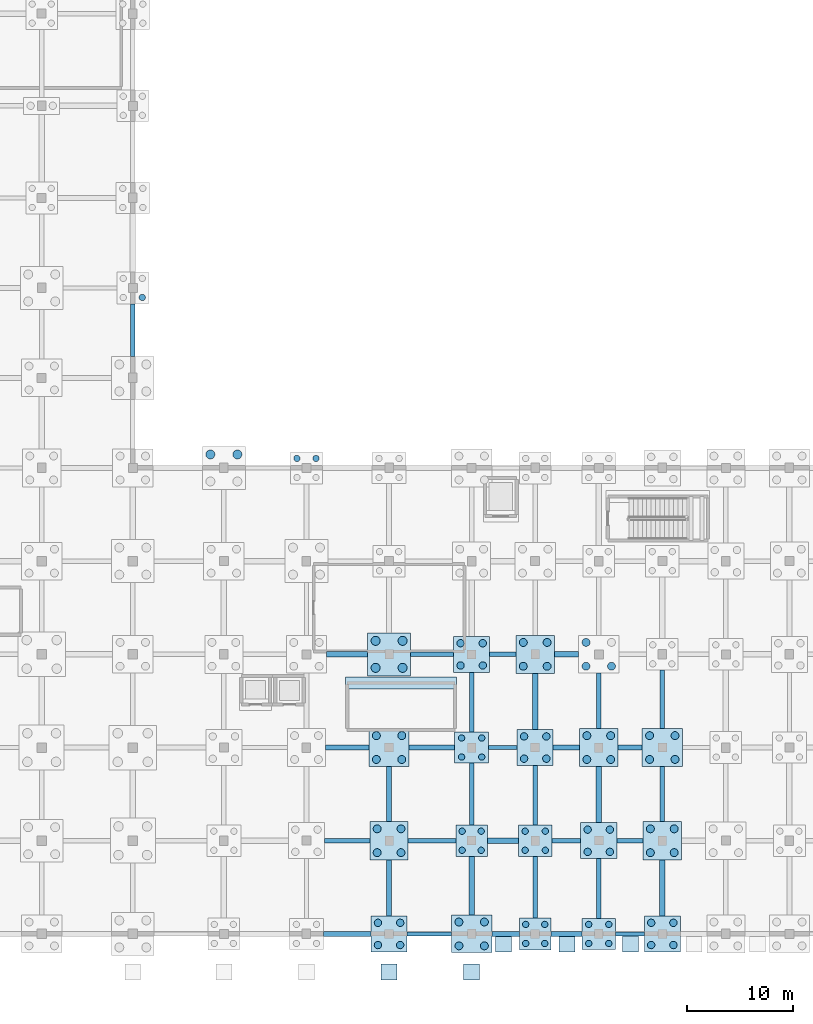
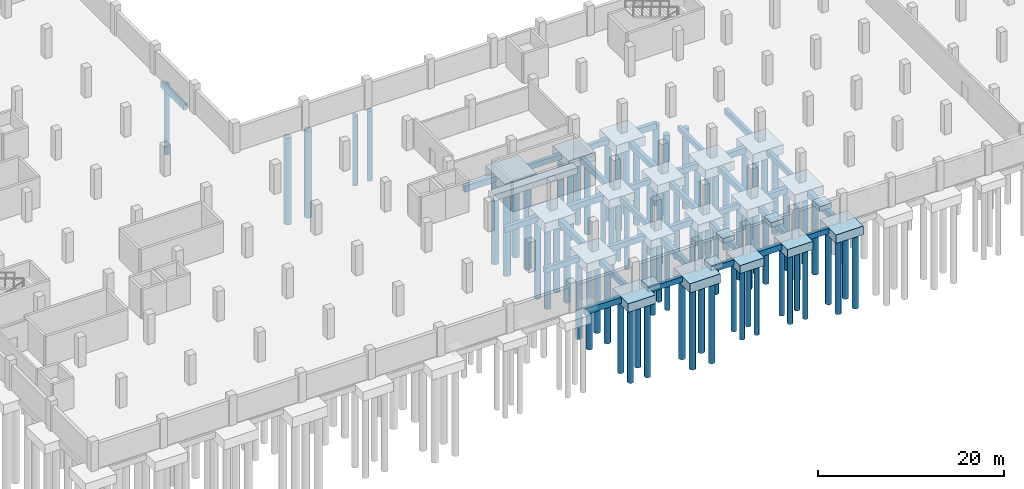
# One storey, part 4 of 28: 80 piles, 58 footings.
"""IFC4 building model written with IfcOpenShell, lengths in metres."""

from ifc_helpers import new_model, si_unit, direction, frame, origin, origin_2d, place, context, subcontext, project, spatial, rectangle, circle, extrude, material, material_profile, profile_set, type_object, element, save


model = new_model("IFC4")

# Units and contexts
model_context = context("Model", 3, precision=1e-05, world=origin(), true_north=direction((0.0, 1.0)))
body_context = subcontext(model_context, "Body", "Model", "MODEL_VIEW")
ifc_project = project(units=[si_unit("LENGTHUNIT", "METRE"), si_unit("AREAUNIT", "SQUARE_METRE"), si_unit("VOLUMEUNIT", "CUBIC_METRE"), si_unit("PLANEANGLEUNIT", "RADIAN"), si_unit("MASSUNIT", "GRAM", prefix="KILO")], contexts=[model_context])

# Site, building, storey
site_placement = place(None, origin())
site = spatial("IfcSite", under=ifc_project, at=site_placement, CompositionType="ELEMENT")
building_placement = place(site_placement, origin())
building = spatial("IfcBuilding", under=site, at=building_placement, Name="Varnakota Cinema and Media Centre", CompositionType="ELEMENT")
storey_placement = place(building_placement, frame((0.0, 0.0, -4.199951171875)))
storey = spatial("IfcBuildingStorey", under=building, at=storey_placement, Name="B1", CompositionType="ELEMENT", Elevation=-4.199951171875)

# Footings
ifc_material_1 = material(Name="Concrete M35", Category="concrete")
ifc_material_profile_1 = material_profile(ifc_material_1, rectangle(XDim=0.39990234375, YDim=0.699951171875, at=origin_2d()), Name="FB 400x700")
ifc_profile_set_1 = profile_set([ifc_material_profile_1], Name="Concrete M35")
footing_type_1 = type_object("IfcFootingType", Name="FB-400x700", PredefinedType="FOOTING_BEAM", material=ifc_profile_set_1)
footing_1_placement = place(storey_placement, frame((68.89990234375, 0.0, -0.60009765625), z_axis=(1.0, 0.0, 0.0), x_axis=(0.0, 1.0, 0.0)))
element("IfcFooting", 1, at=footing_1_placement, inside=storey, type_object=footing_type_1, Name="Foundation tie beam J-K/1", PredefinedType="FOOTING_BEAM", context=body_context, shape_type="SweptSolid", body=[
    extrude(rectangle(XDim=0.39990234375, YDim=0.699951171875, at=origin_2d()), origin(), (0.0, 0.0, 1.0), 4.2001953125),
])
footing_2_placement = place(storey_placement, frame((88.60009765625, 0.0, -0.60009765625), z_axis=(1.0, 0.0, 0.0), x_axis=(0.0, 1.0, 0.0)))
element("IfcFooting", 2, at=footing_2_placement, inside=storey, type_object=footing_type_1, Name="Foundation tie beam M-N/1", PredefinedType="FOOTING_BEAM", context=body_context, shape_type="SweptSolid", body=[
    extrude(rectangle(XDim=0.39990234375, YDim=0.699951171875, at=origin_2d()), origin(), (0.0, 0.0, 1.0), 2.699951171875),
])
footing_3_placement = place(storey_placement, frame((61.10009765625, 8.800048828125, -0.60009765625), z_axis=(1.0, 0.0, 0.0), x_axis=(0.0, 1.0, 0.0)))
element("IfcFooting", 3, at=footing_3_placement, inside=storey, type_object=footing_type_1, Name="Foundation tie beam H-J/2", PredefinedType="FOOTING_BEAM", context=body_context, shape_type="SweptSolid", body=[
    extrude(rectangle(XDim=0.39990234375, YDim=0.699951171875, at=origin_2d()), origin(), (0.0, 0.0, 1.0), 4.2998046875),
])
for number, where, z_axis, x_axis, name in (
    (4, (82.60009765625, 8.800048828125, -0.60009765625), (1.0, 0.0, 0.0), (0.0, 1.0, 0.0), "Foundation tie beam L-M/2"),
    (5, (76.60009765625, 17.60009765625, -0.60009765625), (1.0, 0.0, 0.0), (0.0, 1.0, 0.0), "Foundation tie beam K-L/3"),
):
    element("IfcFooting", number, at=place(storey_placement, frame(where, z_axis=z_axis, x_axis=x_axis)), inside=storey, type_object=footing_type_1, Name=name, PredefinedType="FOOTING_BEAM", context=body_context, shape_type="SweptSolid", body=[
        extrude(rectangle(XDim=0.39990234375, YDim=0.699951171875, at=origin_2d()), origin(), (0.0, 0.0, 1.0), 2.699951171875),
    ])
footing_4_placement = place(storey_placement, frame((69.22509765625, 26.39990234375, -0.60009765625), z_axis=(1.0, 0.0, 0.0), x_axis=(0.0, 1.0, 0.0)))
element("IfcFooting", 6, at=footing_4_placement, inside=storey, type_object=footing_type_1, Name="Foundation tie beam J-K/4", PredefinedType="FOOTING_BEAM", context=body_context, shape_type="SweptSolid", body=[
    extrude(rectangle(XDim=0.39990234375, YDim=0.699951171875, at=origin_2d()), origin(), (0.0, 0.0, 1.0), 4.074951171875),
])
for number, where, z_axis, x_axis, name in (
    (7, (75.0, 10.300048828125, -0.60009765625), (0.0, 1.0, 0.0), (-1.0, 0.0, 0.0), "Foundation tie beam K/2-3"),
    (8, (81.0, 1.5, -0.60009765625), (0.0, 1.0, 0.0), (-1.0, 0.0, 0.0), "Foundation tie beam L/1-2"),
):
    element("IfcFooting", number, at=place(storey_placement, frame(where, z_axis=z_axis, x_axis=x_axis)), inside=storey, type_object=footing_type_1, Name=name, PredefinedType="FOOTING_BEAM", context=body_context, shape_type="SweptSolid", body=[
        extrude(rectangle(XDim=0.39990234375, YDim=0.699951171875, at=origin_2d()), origin(), (0.0, 0.0, 1.0), 5.824951171875),
    ])
footing_5_placement = place(storey_placement, frame((87.0, 19.39990234375, -0.60009765625), z_axis=(0.0, 1.0, 0.0), x_axis=(-1.0, 0.0, 0.0)))
element("IfcFooting", 9, at=footing_5_placement, inside=storey, type_object=footing_type_1, Name="Foundation tie beam M/3-4", PredefinedType="FOOTING_BEAM", context=body_context, shape_type="SweptSolid", body=[
    extrude(rectangle(XDim=0.39990234375, YDim=0.699951171875, at=origin_2d()), origin(), (0.0, 0.0, 1.0), 5.22509765625),
])
footing_6_placement = place(storey_placement, frame((93.0, 10.60009765625, -0.60009765625), z_axis=(0.0, 1.0, 0.0), x_axis=(-1.0, 0.0, 0.0)))
element("IfcFooting", 10, at=footing_6_placement, inside=storey, type_object=footing_type_1, Name="Foundation tie beam N/2-3", PredefinedType="FOOTING_BEAM", context=body_context, shape_type="SweptSolid", body=[
    extrude(rectangle(XDim=0.39990234375, YDim=0.699951171875, at=origin_2d()), origin(), (0.0, 0.0, 1.0), 5.224853515625),
])
ifc_material_2 = material(Name="Concrete M35", Category="concrete")
ifc_material_profile_2 = material_profile(ifc_material_2, rectangle(XDim=0.449951171875, YDim=0.75, at=origin_2d()), Name="FB 450x750")
ifc_profile_set_2 = profile_set([ifc_material_profile_2], Name="Concrete M35")
footing_type_2 = type_object("IfcFootingType", Name="FB-450x750", PredefinedType="FOOTING_BEAM", material=ifc_profile_set_2)
footing_7_placement = place(storey_placement, frame((76.89990234375, 0.0, -0.625), z_axis=(1.0, 0.0, 0.0), x_axis=(0.0, 1.0, 0.0)))
element("IfcFooting", 11, at=footing_7_placement, inside=storey, type_object=footing_type_2, Name="Foundation tie beam K-L/1", PredefinedType="FOOTING_BEAM", context=body_context, shape_type="SweptSolid", body=[
    extrude(rectangle(XDim=0.449951171875, YDim=0.75, at=origin_2d()), origin(), (0.0, 0.0, 1.0), 2.60009765625),
])
footing_8_placement = place(storey_placement, frame((69.0, 8.800048828125, -0.625), z_axis=(1.0, 0.0, 0.0), x_axis=(0.0, 1.0, 0.0)))
element("IfcFooting", 12, at=footing_8_placement, inside=storey, type_object=footing_type_2, Name="Foundation tie beam J-K/2", PredefinedType="FOOTING_BEAM", context=body_context, shape_type="SweptSolid", body=[
    extrude(rectangle(XDim=0.449951171875, YDim=0.75, at=origin_2d()), origin(), (0.0, 0.0, 1.0), 4.5),
])
footing_9_placement = place(storey_placement, frame((88.699951171875, 8.800048828125, -0.625), z_axis=(1.0, 0.0, 0.0), x_axis=(0.0, 1.0, 0.0)))
element("IfcFooting", 13, at=footing_9_placement, inside=storey, type_object=footing_type_2, Name="Foundation tie beam M-N/2", PredefinedType="FOOTING_BEAM", context=body_context, shape_type="SweptSolid", body=[
    extrude(rectangle(XDim=0.449951171875, YDim=0.75, at=origin_2d()), origin(), (0.0, 0.0, 1.0), 2.5),
])
footing_10_placement = place(storey_placement, frame((61.199951171875, 17.60009765625, -0.625), z_axis=(1.0, 0.0, 0.0), x_axis=(0.0, 1.0, 0.0)))
element("IfcFooting", 14, at=footing_10_placement, inside=storey, type_object=footing_type_2, Name="Foundation tie beam H-J/3", PredefinedType="FOOTING_BEAM", context=body_context, shape_type="SweptSolid", body=[
    extrude(rectangle(XDim=0.449951171875, YDim=0.75, at=origin_2d()), origin(), (0.0, 0.0, 1.0), 4.10009765625),
])
for number, where, z_axis, x_axis, name in (
    (15, (82.699951171875, 17.60009765625, -0.625), (1.0, 0.0, 0.0), (0.0, 1.0, 0.0), "Foundation tie beam L-M/3"),
    (16, (76.699951171875, 26.39990234375, -0.625), (1.0, 0.0, 0.0), (0.0, 1.0, 0.0), "Foundation tie beam K-L/4"),
):
    element("IfcFooting", number, at=place(storey_placement, frame(where, z_axis=z_axis, x_axis=x_axis)), inside=storey, type_object=footing_type_2, Name=name, PredefinedType="FOOTING_BEAM", context=body_context, shape_type="SweptSolid", body=[
        extrude(rectangle(XDim=0.449951171875, YDim=0.75, at=origin_2d()), origin(), (0.0, 0.0, 1.0), 2.5),
    ])
footing_11_placement = place(storey_placement, frame((43.0, 54.52490234375, -0.625), z_axis=(0.0, 1.0, 0.0), x_axis=(-1.0, 0.0, 0.0)))
element("IfcFooting", 17, at=footing_11_placement, inside=storey, type_object=footing_type_2, Name="Foundation tie beam F/7-8", PredefinedType="FOOTING_BEAM", context=body_context, shape_type="SweptSolid", body=[
    extrude(rectangle(XDim=0.449951171875, YDim=0.75, at=origin_2d()), origin(), (0.0, 0.0, 1.0), 4.97509765625),
])
footing_12_placement = place(storey_placement, frame((67.199951171875, 1.699951171875, -0.625), z_axis=(0.0, 1.0, 0.0), x_axis=(-1.0, 0.0, 0.0)))
element("IfcFooting", 18, at=footing_12_placement, inside=storey, type_object=footing_type_2, Name="Foundation tie beam J/1-2", PredefinedType="FOOTING_BEAM", context=body_context, shape_type="SweptSolid", body=[
    extrude(rectangle(XDim=0.449951171875, YDim=0.75, at=origin_2d()), origin(), (0.0, 0.0, 1.0), 5.300048828125),
])
for number, where, z_axis, x_axis, name in (
    (19, (75.0, 19.074951171875, -0.625), (0.0, 1.0, 0.0), (-1.0, 0.0, 0.0), "Foundation tie beam K/3-4"),
    (20, (81.0, 10.27490234375, -0.625), (0.0, 1.0, 0.0), (-1.0, 0.0, 0.0), "Foundation tie beam L/2-3"),
    (21, (87.0, 1.47509765625, -0.625), (0.0, 1.0, 0.0), (-1.0, 0.0, 0.0), "Foundation tie beam M/1-2"),
):
    element("IfcFooting", number, at=place(storey_placement, frame(where, z_axis=z_axis, x_axis=x_axis)), inside=storey, type_object=footing_type_2, Name=name, PredefinedType="FOOTING_BEAM", context=body_context, shape_type="SweptSolid", body=[
        extrude(rectangle(XDim=0.449951171875, YDim=0.75, at=origin_2d()), origin(), (0.0, 0.0, 1.0), 5.625),
    ])
footing_13_placement = place(storey_placement, frame((93.0, 19.375, -0.625), z_axis=(0.0, 1.0, 0.0), x_axis=(-1.0, 0.0, 0.0)))
element("IfcFooting", 22, at=footing_13_placement, inside=storey, type_object=footing_type_2, Name="Foundation tie beam N/3-4", PredefinedType="FOOTING_BEAM", context=body_context, shape_type="SweptSolid", body=[
    extrude(rectangle(XDim=0.449951171875, YDim=0.75, at=origin_2d()), origin(), (0.0, 0.0, 1.0), 5.52490234375),
])
ifc_material_3 = material(Name="Concrete M35", Category="concrete")
ifc_material_profile_3 = material_profile(ifc_material_3, rectangle(XDim=0.5, YDim=0.800048828125, at=origin_2d()), Name="FB 500x800")
ifc_profile_set_3 = profile_set([ifc_material_profile_3], Name="Concrete M35")
footing_type_3 = type_object("IfcFootingType", Name="FB-500x800", PredefinedType="FOOTING_BEAM", material=ifc_profile_set_3)
footing_14_placement = place(storey_placement, frame((61.0, 0.0, -0.650146484375), z_axis=(1.0, 0.0, 0.0), x_axis=(0.0, 1.0, 0.0)))
element("IfcFooting", 23, at=footing_14_placement, inside=storey, type_object=footing_type_3, Name="Foundation tie beam H-J/1", PredefinedType="FOOTING_BEAM", context=body_context, shape_type="SweptSolid", body=[
    extrude(rectangle(XDim=0.5, YDim=0.800048828125, at=origin_2d()), origin(), (0.0, 0.0, 1.0), 4.5),
])
for number, where, z_axis, x_axis, name in (
    (24, (82.5, 0.0, -0.650146484375), (1.0, 0.0, 0.0), (0.0, 1.0, 0.0), "Foundation tie beam L-M/1"),
    (25, (76.5, 8.800048828125, -0.650146484375), (1.0, 0.0, 0.0), (0.0, 1.0, 0.0), "Foundation tie beam K-L/2"),
):
    element("IfcFooting", number, at=place(storey_placement, frame(where, z_axis=z_axis, x_axis=x_axis)), inside=storey, type_object=footing_type_3, Name=name, PredefinedType="FOOTING_BEAM", context=body_context, shape_type="SweptSolid", body=[
        extrude(rectangle(XDim=0.5, YDim=0.800048828125, at=origin_2d()), origin(), (0.0, 0.0, 1.0), 2.89990234375),
    ])
footing_15_placement = place(storey_placement, frame((69.10009765625, 17.60009765625, -0.650146484375), z_axis=(1.0, 0.0, 0.0), x_axis=(0.0, 1.0, 0.0)))
element("IfcFooting", 26, at=footing_15_placement, inside=storey, type_object=footing_type_3, Name="Foundation tie beam J-K/3", PredefinedType="FOOTING_BEAM", context=body_context, shape_type="SweptSolid", body=[
    extrude(rectangle(XDim=0.5, YDim=0.800048828125, at=origin_2d()), origin(), (0.0, 0.0, 1.0), 4.2998046875),
])
footing_16_placement = place(storey_placement, frame((88.800048828125, 17.60009765625, -0.650146484375), z_axis=(1.0, 0.0, 0.0), x_axis=(0.0, 1.0, 0.0)))
element("IfcFooting", 27, at=footing_16_placement, inside=storey, type_object=footing_type_3, Name="Foundation tie beam M-N/3", PredefinedType="FOOTING_BEAM", context=body_context, shape_type="SweptSolid", body=[
    extrude(rectangle(XDim=0.5, YDim=0.800048828125, at=origin_2d()), origin(), (0.0, 0.0, 1.0), 2.300048828125),
])
footing_17_placement = place(storey_placement, frame((61.300048828125, 26.39990234375, -0.650146484375), z_axis=(1.0, 0.0, 0.0), x_axis=(0.0, 1.0, 0.0)))
element("IfcFooting", 28, at=footing_17_placement, inside=storey, type_object=footing_type_3, Name="Foundation tie beam H-J/4", PredefinedType="FOOTING_BEAM", context=body_context, shape_type="SweptSolid", body=[
    extrude(rectangle(XDim=0.5, YDim=0.800048828125, at=origin_2d()), origin(), (0.0, 0.0, 1.0), 3.875),
])
footing_18_placement = place(storey_placement, frame((82.800048828125, 26.39990234375, -0.650146484375), z_axis=(1.0, 0.0, 0.0), x_axis=(0.0, 1.0, 0.0)))
element("IfcFooting", 29, at=footing_18_placement, inside=storey, type_object=footing_type_3, Name="Foundation tie beam L-M/4", PredefinedType="FOOTING_BEAM", context=body_context, shape_type="SweptSolid", body=[
    extrude(rectangle(XDim=0.5, YDim=0.800048828125, at=origin_2d()), origin(), (0.0, 0.0, 1.0), 2.300048828125),
])
footing_19_placement = place(storey_placement, frame((67.199951171875, 10.60009765625, -0.650146484375), z_axis=(0.0, 1.0, 0.0), x_axis=(-1.0, 0.0, 0.0)))
element("IfcFooting", 30, at=footing_19_placement, inside=storey, type_object=footing_type_3, Name="Foundation tie beam J/2-3", PredefinedType="FOOTING_BEAM", context=body_context, shape_type="SweptSolid", body=[
    extrude(rectangle(XDim=0.5, YDim=0.800048828125, at=origin_2d()), origin(), (0.0, 0.0, 1.0), 5.224853515625),
])
footing_20_placement = place(storey_placement, frame((75.0, 1.77490234375, -0.650146484375), z_axis=(0.0, 1.0, 0.0), x_axis=(-1.0, 0.0, 0.0)))
element("IfcFooting", 31, at=footing_20_placement, inside=storey, type_object=footing_type_3, Name="Foundation tie beam K/1-2", PredefinedType="FOOTING_BEAM", context=body_context, shape_type="SweptSolid", body=[
    extrude(rectangle(XDim=0.5, YDim=0.800048828125, at=origin_2d()), origin(), (0.0, 0.0, 1.0), 5.525146484375),
])
for number, where, z_axis, x_axis, name in (
    (32, (81.0, 19.300048828125, -0.650146484375), (0.0, 1.0, 0.0), (-1.0, 0.0, 0.0), "Foundation tie beam L/3-4"),
    (33, (87.0, 10.5, -0.650146484375), (0.0, 1.0, 0.0), (-1.0, 0.0, 0.0), "Foundation tie beam M/2-3"),
    (34, (93.0, 1.699951171875, -0.650146484375), (0.0, 1.0, 0.0), (-1.0, 0.0, 0.0), "Foundation tie beam N/1-2"),
):
    element("IfcFooting", number, at=place(storey_placement, frame(where, z_axis=z_axis, x_axis=x_axis)), inside=storey, type_object=footing_type_3, Name=name, PredefinedType="FOOTING_BEAM", context=body_context, shape_type="SweptSolid", body=[
        extrude(rectangle(XDim=0.5, YDim=0.800048828125, at=origin_2d()), origin(), (0.0, 0.0, 1.0), 5.300048828125),
    ])
ifc_material_4 = material(Name="Concrete M35", Category="concrete")
footing_type_4 = type_object("IfcFootingType", Name="PC-4P-600", PredefinedType="PILE_CAP", material=ifc_material_4)
for number, where, z_axis, x_axis, name in (
    (35, (75.0, 8.800048828125, -1.30029296875), (0.0, 0.0, 1.0), (1.0, 0.0, 0.0), "Pile cap K/2"),
    (36, (81.0, 0.0, -1.30029296875), (0.0, 0.0, 1.0), (1.0, 0.0, 0.0), "Pile cap L/1"),
):
    element("IfcFooting", number, at=place(storey_placement, frame(where, z_axis=z_axis, x_axis=x_axis)), inside=storey, type_object=footing_type_4, Name=name, PredefinedType="PILE_CAP", context=body_context, shape_type="SweptSolid", body=[
        extrude(rectangle(XDim=3.0, YDim=3.0, at=origin_2d()), origin(), (0.0, 0.0, 1.0), 1.050048828125),
    ])
ifc_material_5 = material(Name="Concrete M35", Category="concrete")
footing_type_5 = type_object("IfcFootingType", Name="PC-4P-600R", PredefinedType="PILE_CAP", material=ifc_material_5)
for number, where, z_axis, x_axis, name in (
    (37, (75.0, 17.60009765625, -1.330078125), (0.0, 0.0, 1.0), (1.0, 0.0, 0.0), "Pile cap K/3"),
    (38, (81.0, 8.800048828125, -1.330078125), (0.0, 0.0, 1.0), (1.0, 0.0, 0.0), "Pile cap L/2"),
    (39, (87.0, 0.0, -1.330078125), (0.0, 0.0, 1.0), (1.0, 0.0, 0.0), "Pile cap M/1"),
):
    element("IfcFooting", number, at=place(storey_placement, frame(where, z_axis=z_axis, x_axis=x_axis)), inside=storey, type_object=footing_type_5, Name=name, PredefinedType="PILE_CAP", context=body_context, shape_type="SweptSolid", body=[
        extrude(rectangle(XDim=3.199951171875, YDim=2.949951171875, at=origin_2d()), origin(), (0.0, 0.0, 1.0), 1.080078125),
    ])
ifc_material_6 = material(Name="Concrete M35", Category="concrete")
footing_type_6 = type_object("IfcFootingType", Name="PC-4P-700", PredefinedType="PILE_CAP", material=ifc_material_6)
for number, where, z_axis, x_axis, name in (
    (40, (67.199951171875, 0.0, -1.3701171875), (0.0, 0.0, 1.0), (1.0, 0.0, 0.0), "Pile cap J/1"),
    (41, (75.0, 26.39990234375, -1.3701171875), (0.0, 0.0, 1.0), (1.0, 0.0, 0.0), "Pile cap K/4"),
    (42, (81.0, 17.60009765625, -1.3701171875), (0.0, 0.0, 1.0), (1.0, 0.0, 0.0), "Pile cap L/3"),
    (43, (87.0, 8.800048828125, -1.3701171875), (0.0, 0.0, 1.0), (1.0, 0.0, 0.0), "Pile cap M/2"),
    (44, (93.0, 0.0, -1.3701171875), (0.0, 0.0, 1.0), (1.0, 0.0, 0.0), "Pile cap N/1"),
):
    element("IfcFooting", number, at=place(storey_placement, frame(where, z_axis=z_axis, x_axis=x_axis)), inside=storey, type_object=footing_type_6, Name=name, PredefinedType="PILE_CAP", context=body_context, shape_type="SweptSolid", body=[
        extrude(rectangle(XDim=3.39990234375, YDim=3.39990234375, at=origin_2d()), origin(), (0.0, 0.0, 1.0), 1.1201171875),
    ])
ifc_material_7 = material(Name="Concrete M35", Category="concrete")
footing_type_7 = type_object("IfcFootingType", Name="PC-4P-750", PredefinedType="PILE_CAP", material=ifc_material_7)
for number, where, z_axis, x_axis, name in (
    (45, (67.199951171875, 8.800048828125, -1.43017578125), (0.0, 0.0, 1.0), (1.0, 0.0, 0.0), "Pile cap J/2"),
    (46, (81.0, 26.39990234375, -1.43017578125), (0.0, 0.0, 1.0), (1.0, 0.0, 0.0), "Pile cap L/4"),
    (47, (87.0, 17.60009765625, -1.43017578125), (0.0, 0.0, 1.0), (1.0, 0.0, 0.0), "Pile cap M/3"),
    (48, (93.0, 8.800048828125, -1.43017578125), (0.0, 0.0, 1.0), (1.0, 0.0, 0.0), "Pile cap N/2"),
):
    element("IfcFooting", number, at=place(storey_placement, frame(where, z_axis=z_axis, x_axis=x_axis)), inside=storey, type_object=footing_type_7, Name=name, PredefinedType="PILE_CAP", context=body_context, shape_type="SweptSolid", body=[
        extrude(rectangle(XDim=3.60009765625, YDim=3.60009765625, at=origin_2d()), origin(), (0.0, 0.0, 1.0), 1.179931640625),
    ])
ifc_material_8 = material(Name="Concrete M35", Category="concrete")
footing_type_8 = type_object("IfcFootingType", Name="PC-4P-750R", PredefinedType="PILE_CAP", material=ifc_material_8)
for number, where, z_axis, x_axis, name in (
    (49, (67.199951171875, 17.60009765625, -1.4501953125), (0.0, 0.0, 1.0), (1.0, 0.0, 0.0), "Pile cap J/3"),
    (50, (75.0, 0.0, -1.4501953125), (0.0, 0.0, 1.0), (1.0, 0.0, 0.0), "Pile cap K/1"),
    (51, (93.0, 17.60009765625, -1.4501953125), (0.0, 0.0, 1.0), (1.0, 0.0, 0.0), "Pile cap N/3"),
):
    element("IfcFooting", number, at=place(storey_placement, frame(where, z_axis=z_axis, x_axis=x_axis)), inside=storey, type_object=footing_type_8, Name=name, PredefinedType="PILE_CAP", context=body_context, shape_type="SweptSolid", body=[
        extrude(rectangle(XDim=3.800048828125, YDim=3.550048828125, at=origin_2d()), origin(), (0.0, 0.0, 1.0), 1.199951171875),
    ])
ifc_material_9 = material(Name="Concrete M35", Category="concrete")
footing_type_9 = type_object("IfcFootingType", Name="PC-4P-850", PredefinedType="PILE_CAP", material=ifc_material_9)
footing_21_placement = place(storey_placement, frame((67.199951171875, 26.39990234375, -1.5), z_axis=(0.0, 0.0, 1.0), x_axis=(1.0, 0.0, 0.0)))
element("IfcFooting", 52, at=footing_21_placement, inside=storey, type_object=footing_type_9, Name="Pile cap J/4", PredefinedType="PILE_CAP", context=body_context, shape_type="SweptSolid", body=[
    extrude(rectangle(XDim=4.050048828125, YDim=4.050048828125, at=origin_2d()), origin(), (0.0, 0.0, 1.0), 1.25),
])
ifc_material_10 = material(Name="Concrete M35", Category="concrete")
footing_type_10 = type_object("IfcFootingType", Name="PF-150", PredefinedType="PAD_FOOTING", material=ifc_material_10)
for number, where, z_axis, x_axis, name in (
    (53, (67.199951171875, -3.60009765625, 2.594970703125), (0.0, 0.0, 1.0), (1.0, 0.0, 0.0), "South forecourt edge pad footing 4"),
    (54, (75.0, -3.60009765625, 2.594970703125), (0.0, 0.0, 1.0), (1.0, 0.0, 0.0), "South forecourt edge pad footing 5"),
    (55, (78.0, -0.949951171875, 3.52490234375), (0.0, 0.0, 1.0), (1.0, 0.0, 0.0), "Hall south buttress pad footing 1"),
    (56, (84.0, -0.949951171875, 3.52490234375), (0.0, 0.0, 1.0), (1.0, 0.0, 0.0), "Hall south buttress pad footing 2"),
    (57, (90.0, -0.949951171875, 3.52490234375), (0.0, 0.0, 1.0), (1.0, 0.0, 0.0), "Hall south buttress pad footing 3"),
):
    element("IfcFooting", number, at=place(storey_placement, frame(where, z_axis=z_axis, x_axis=x_axis)), inside=storey, type_object=footing_type_10, Name=name, PredefinedType="PAD_FOOTING", context=body_context, shape_type="SweptSolid", body=[
        extrude(rectangle(XDim=1.5, YDim=1.5, at=origin_2d()), origin(), (0.0, 0.0, 1.0), 0.64990234375),
    ])

# Piles
ifc_material_11 = material(Name="Concrete M35", Category="concrete")
ifc_material_profile_4 = material_profile(ifc_material_11, circle(Radius=0.300048828125, at=origin_2d()), Name="PILE D600")
ifc_profile_set_4 = profile_set([ifc_material_profile_4], Name="Concrete M35")
pile_type_1 = type_object("IfcPileType", Name="PILE-D600", PredefinedType="BORED", material=ifc_profile_set_4)
for number, where, z_axis, x_axis, name in (
    (58, (43.89990234375, 60.10009765625, -1.199951171875), (0.0, 0.0, -1.0), (1.0, 0.0, 0.0), "Bored pile F/8-2"),
    (59, (58.5, 44.89990234375, -1.199951171875), (0.0, 0.0, -1.0), (1.0, 0.0, 0.0), "Bored pile H/6-3"),
    (60, (60.300048828125, 44.89990234375, -1.199951171875), (0.0, 0.0, -1.0), (1.0, 0.0, 0.0), "Bored pile H/6-4"),
    (61, (74.10009765625, 7.89990234375, -1.199951171875), (0.0, 0.0, -1.0), (1.0, 0.0, 0.0), "Bored pile K/2-1"),
    (62, (75.89990234375, 7.89990234375, -1.199951171875), (0.0, 0.0, -1.0), (1.0, 0.0, 0.0), "Bored pile K/2-2"),
    (63, (74.10009765625, 9.699951171875, -1.199951171875), (0.0, 0.0, -1.0), (1.0, 0.0, 0.0), "Bored pile K/2-3"),
    (64, (75.89990234375, 9.699951171875, -1.199951171875), (0.0, 0.0, -1.0), (1.0, 0.0, 0.0), "Bored pile K/2-4"),
    (65, (74.050048828125, 16.699951171875, -1.22998046875), (0.0, 0.0, -1.0), (1.0, 0.0, 0.0), "Bored pile K/3-1"),
    (66, (75.949951171875, 16.699951171875, -1.22998046875), (0.0, 0.0, -1.0), (1.0, 0.0, 0.0), "Bored pile K/3-2"),
    (67, (74.050048828125, 18.5, -1.22998046875), (0.0, 0.0, -1.0), (1.0, 0.0, 0.0), "Bored pile K/3-3"),
    (68, (75.949951171875, 18.5, -1.22998046875), (0.0, 0.0, -1.0), (1.0, 0.0, 0.0), "Bored pile K/3-4"),
    (69, (80.10009765625, -0.89990234375, -1.199951171875), (0.0, 0.0, -1.0), (1.0, 0.0, 0.0), "Bored pile L/1-1"),
    (70, (81.89990234375, -0.89990234375, -1.199951171875), (0.0, 0.0, -1.0), (1.0, 0.0, 0.0), "Bored pile L/1-2"),
    (71, (80.10009765625, 0.89990234375, -1.199951171875), (0.0, 0.0, -1.0), (1.0, 0.0, 0.0), "Bored pile L/1-3"),
    (72, (81.89990234375, 0.89990234375, -1.199951171875), (0.0, 0.0, -1.0), (1.0, 0.0, 0.0), "Bored pile L/1-4"),
    (73, (80.050048828125, 7.89990234375, -1.22998046875), (0.0, 0.0, -1.0), (1.0, 0.0, 0.0), "Bored pile L/2-1"),
    (74, (81.949951171875, 7.89990234375, -1.22998046875), (0.0, 0.0, -1.0), (1.0, 0.0, 0.0), "Bored pile L/2-2"),
    (75, (80.050048828125, 9.699951171875, -1.22998046875), (0.0, 0.0, -1.0), (1.0, 0.0, 0.0), "Bored pile L/2-3"),
    (76, (81.949951171875, 9.699951171875, -1.22998046875), (0.0, 0.0, -1.0), (1.0, 0.0, 0.0), "Bored pile L/2-4"),
    (77, (86.050048828125, -0.89990234375, -1.22998046875), (0.0, 0.0, -1.0), (1.0, 0.0, 0.0), "Bored pile M/1-1"),
    (78, (87.949951171875, -0.89990234375, -1.22998046875), (0.0, 0.0, -1.0), (1.0, 0.0, 0.0), "Bored pile M/1-2"),
    (79, (86.050048828125, 0.89990234375, -1.22998046875), (0.0, 0.0, -1.0), (1.0, 0.0, 0.0), "Bored pile M/1-3"),
    (80, (87.949951171875, 0.89990234375, -1.22998046875), (0.0, 0.0, -1.0), (1.0, 0.0, 0.0), "Bored pile M/1-4"),
):
    element("IfcPile", number, at=place(storey_placement, frame(where, z_axis=z_axis, x_axis=x_axis)), inside=storey, type_object=pile_type_1, Name=name, PredefinedType="BORED", context=body_context, shape_type="SweptSolid", body=[
        extrude(circle(Radius=0.300048828125, at=origin_2d()), origin(), (0.0, 0.0, 1.0), 9.199951171875),
    ])
ifc_material_12 = material(Name="Concrete M35", Category="concrete")
ifc_material_profile_5 = material_profile(ifc_material_12, circle(Radius=0.35009765625, at=origin_2d()), Name="PILE D700")
ifc_profile_set_5 = profile_set([ifc_material_profile_5], Name="Concrete M35")
pile_type_2 = type_object("IfcPileType", Name="PILE-D700", PredefinedType="BORED", material=ifc_profile_set_5)
for number, where, z_axis, x_axis, name in (
    (81, (66.14990234375, -1.050048828125, -1.27001953125), (0.0, 0.0, -1.0), (1.0, 0.0, 0.0), "Bored pile J/1-1"),
    (82, (68.25, -1.050048828125, -1.27001953125), (0.0, 0.0, -1.0), (1.0, 0.0, 0.0), "Bored pile J/1-2"),
    (83, (66.14990234375, 1.050048828125, -1.27001953125), (0.0, 0.0, -1.0), (1.0, 0.0, 0.0), "Bored pile J/1-3"),
    (84, (68.25, 1.050048828125, -1.27001953125), (0.0, 0.0, -1.0), (1.0, 0.0, 0.0), "Bored pile J/1-4"),
    (85, (73.949951171875, 25.35009765625, -1.27001953125), (0.0, 0.0, -1.0), (1.0, 0.0, 0.0), "Bored pile K/4-1"),
    (86, (76.050048828125, 25.35009765625, -1.27001953125), (0.0, 0.0, -1.0), (1.0, 0.0, 0.0), "Bored pile K/4-2"),
    (87, (73.949951171875, 27.449951171875, -1.27001953125), (0.0, 0.0, -1.0), (1.0, 0.0, 0.0), "Bored pile K/4-3"),
    (88, (76.050048828125, 27.449951171875, -1.27001953125), (0.0, 0.0, -1.0), (1.0, 0.0, 0.0), "Bored pile K/4-4"),
    (89, (79.949951171875, 16.550048828125, -1.27001953125), (0.0, 0.0, -1.0), (1.0, 0.0, 0.0), "Bored pile L/3-1"),
    (90, (82.050048828125, 16.550048828125, -1.27001953125), (0.0, 0.0, -1.0), (1.0, 0.0, 0.0), "Bored pile L/3-2"),
    (91, (79.949951171875, 18.64990234375, -1.27001953125), (0.0, 0.0, -1.0), (1.0, 0.0, 0.0), "Bored pile L/3-3"),
    (92, (82.050048828125, 18.64990234375, -1.27001953125), (0.0, 0.0, -1.0), (1.0, 0.0, 0.0), "Bored pile L/3-4"),
    (93, (85.949951171875, 7.75, -1.27001953125), (0.0, 0.0, -1.0), (1.0, 0.0, 0.0), "Bored pile M/2-1"),
    (94, (88.050048828125, 7.75, -1.27001953125), (0.0, 0.0, -1.0), (1.0, 0.0, 0.0), "Bored pile M/2-2"),
    (95, (85.949951171875, 9.85009765625, -1.27001953125), (0.0, 0.0, -1.0), (1.0, 0.0, 0.0), "Bored pile M/2-3"),
    (96, (88.050048828125, 9.85009765625, -1.27001953125), (0.0, 0.0, -1.0), (1.0, 0.0, 0.0), "Bored pile M/2-4"),
    (97, (91.949951171875, -1.050048828125, -1.27001953125), (0.0, 0.0, -1.0), (1.0, 0.0, 0.0), "Bored pile N/1-1"),
    (98, (94.050048828125, -1.050048828125, -1.27001953125), (0.0, 0.0, -1.0), (1.0, 0.0, 0.0), "Bored pile N/1-2"),
    (99, (91.949951171875, 1.050048828125, -1.27001953125), (0.0, 0.0, -1.0), (1.0, 0.0, 0.0), "Bored pile N/1-3"),
    (100, (94.050048828125, 1.050048828125, -1.27001953125), (0.0, 0.0, -1.0), (1.0, 0.0, 0.0), "Bored pile N/1-4"),
):
    element("IfcPile", number, at=place(storey_placement, frame(where, z_axis=z_axis, x_axis=x_axis)), inside=storey, type_object=pile_type_2, Name=name, PredefinedType="BORED", context=body_context, shape_type="SweptSolid", body=[
        extrude(circle(Radius=0.35009765625, at=origin_2d()), origin(), (0.0, 0.0, 1.0), 9.800048828125),
    ])
ifc_material_13 = material(Name="Concrete M35", Category="concrete")
ifc_material_profile_6 = material_profile(ifc_material_13, circle(Radius=0.375, at=origin_2d()), Name="PILE D750")
ifc_profile_set_6 = profile_set([ifc_material_profile_6], Name="Concrete M35")
pile_type_3 = type_object("IfcPileType", Name="PILE-D750", PredefinedType="BORED", material=ifc_profile_set_6)
for number, where, z_axis, x_axis, name in (
    (101, (66.074951171875, 7.675048828125, -1.330078125), (0.0, 0.0, -1.0), (1.0, 0.0, 0.0), "Bored pile J/2-1"),
    (102, (68.324951171875, 7.675048828125, -1.330078125), (0.0, 0.0, -1.0), (1.0, 0.0, 0.0), "Bored pile J/2-2"),
    (103, (66.074951171875, 9.925048828125, -1.330078125), (0.0, 0.0, -1.0), (1.0, 0.0, 0.0), "Bored pile J/2-3"),
    (104, (68.324951171875, 9.925048828125, -1.330078125), (0.0, 0.0, -1.0), (1.0, 0.0, 0.0), "Bored pile J/2-4"),
    (105, (66.0, 16.47509765625, -1.35009765625), (0.0, 0.0, -1.0), (1.0, 0.0, 0.0), "Bored pile J/3-1"),
    (106, (68.39990234375, 16.47509765625, -1.35009765625), (0.0, 0.0, -1.0), (1.0, 0.0, 0.0), "Bored pile J/3-2"),
    (107, (66.0, 18.72509765625, -1.35009765625), (0.0, 0.0, -1.0), (1.0, 0.0, 0.0), "Bored pile J/3-3"),
    (108, (68.39990234375, 18.72509765625, -1.35009765625), (0.0, 0.0, -1.0), (1.0, 0.0, 0.0), "Bored pile J/3-4"),
    (109, (73.800048828125, -1.125, -1.35009765625), (0.0, 0.0, -1.0), (1.0, 0.0, 0.0), "Bored pile K/1-1"),
    (110, (76.199951171875, -1.125, -1.35009765625), (0.0, 0.0, -1.0), (1.0, 0.0, 0.0), "Bored pile K/1-2"),
    (111, (73.800048828125, 1.125, -1.35009765625), (0.0, 0.0, -1.0), (1.0, 0.0, 0.0), "Bored pile K/1-3"),
    (112, (76.199951171875, 1.125, -1.35009765625), (0.0, 0.0, -1.0), (1.0, 0.0, 0.0), "Bored pile K/1-4"),
    (113, (79.875, 25.27490234375, -1.330078125), (0.0, 0.0, -1.0), (1.0, 0.0, 0.0), "Bored pile L/4-1"),
    (114, (82.125, 25.27490234375, -1.330078125), (0.0, 0.0, -1.0), (1.0, 0.0, 0.0), "Bored pile L/4-2"),
    (115, (79.875, 27.52490234375, -1.330078125), (0.0, 0.0, -1.0), (1.0, 0.0, 0.0), "Bored pile L/4-3"),
    (116, (82.125, 27.52490234375, -1.330078125), (0.0, 0.0, -1.0), (1.0, 0.0, 0.0), "Bored pile L/4-4"),
    (117, (85.875, 16.47509765625, -1.330078125), (0.0, 0.0, -1.0), (1.0, 0.0, 0.0), "Bored pile M/3-1"),
    (118, (88.125, 16.47509765625, -1.330078125), (0.0, 0.0, -1.0), (1.0, 0.0, 0.0), "Bored pile M/3-2"),
    (119, (85.875, 18.72509765625, -1.330078125), (0.0, 0.0, -1.0), (1.0, 0.0, 0.0), "Bored pile M/3-3"),
    (120, (88.125, 18.72509765625, -1.330078125), (0.0, 0.0, -1.0), (1.0, 0.0, 0.0), "Bored pile M/3-4"),
    (121, (85.800048828125, 25.27490234375, -1.35009765625), (0.0, 0.0, -1.0), (1.0, 0.0, 0.0), "Bored pile M/4-1"),
    (122, (88.199951171875, 25.27490234375, -1.35009765625), (0.0, 0.0, -1.0), (1.0, 0.0, 0.0), "Bored pile M/4-2"),
    (123, (85.800048828125, 27.52490234375, -1.35009765625), (0.0, 0.0, -1.0), (1.0, 0.0, 0.0), "Bored pile M/4-3"),
    (124, (91.875, 7.675048828125, -1.330078125), (0.0, 0.0, -1.0), (1.0, 0.0, 0.0), "Bored pile N/2-1"),
    (125, (94.125, 7.675048828125, -1.330078125), (0.0, 0.0, -1.0), (1.0, 0.0, 0.0), "Bored pile N/2-2"),
    (126, (91.875, 9.925048828125, -1.330078125), (0.0, 0.0, -1.0), (1.0, 0.0, 0.0), "Bored pile N/2-3"),
    (127, (94.125, 9.925048828125, -1.330078125), (0.0, 0.0, -1.0), (1.0, 0.0, 0.0), "Bored pile N/2-4"),
    (128, (91.800048828125, 16.47509765625, -1.35009765625), (0.0, 0.0, -1.0), (1.0, 0.0, 0.0), "Bored pile N/3-1"),
    (129, (94.199951171875, 16.47509765625, -1.35009765625), (0.0, 0.0, -1.0), (1.0, 0.0, 0.0), "Bored pile N/3-2"),
    (130, (91.800048828125, 18.72509765625, -1.35009765625), (0.0, 0.0, -1.0), (1.0, 0.0, 0.0), "Bored pile N/3-3"),
    (131, (94.199951171875, 18.72509765625, -1.35009765625), (0.0, 0.0, -1.0), (1.0, 0.0, 0.0), "Bored pile N/3-4"),
):
    element("IfcPile", number, at=place(storey_placement, frame(where, z_axis=z_axis, x_axis=x_axis)), inside=storey, type_object=pile_type_3, Name=name, PredefinedType="BORED", context=body_context, shape_type="SweptSolid", body=[
        extrude(circle(Radius=0.375, at=origin_2d()), origin(), (0.0, 0.0, 1.0), 10.60009765625),
    ])
ifc_material_14 = material(Name="Concrete M35", Category="concrete")
ifc_material_profile_7 = material_profile(ifc_material_14, circle(Radius=0.425048828125, at=origin_2d()), Name="PILE D850")
ifc_profile_set_7 = profile_set([ifc_material_profile_7], Name="Concrete M35")
pile_type_4 = type_object("IfcPileType", Name="PILE-D850", PredefinedType="BORED", material=ifc_profile_set_7)
for number, where, z_axis, x_axis, name in (
    (132, (50.324951171875, 45.27490234375, -1.400146484375), (0.0, 0.0, -1.0), (1.0, 0.0, 0.0), "Bored pile G/6-3"),
    (133, (52.875, 45.27490234375, -1.400146484375), (0.0, 0.0, -1.0), (1.0, 0.0, 0.0), "Bored pile G/6-4"),
    (134, (65.925048828125, 25.125, -1.400146484375), (0.0, 0.0, -1.0), (1.0, 0.0, 0.0), "Bored pile J/4-1"),
    (135, (68.47509765625, 25.125, -1.400146484375), (0.0, 0.0, -1.0), (1.0, 0.0, 0.0), "Bored pile J/4-2"),
    (136, (65.925048828125, 27.675048828125, -1.400146484375), (0.0, 0.0, -1.0), (1.0, 0.0, 0.0), "Bored pile J/4-3"),
    (137, (68.47509765625, 27.675048828125, -1.400146484375), (0.0, 0.0, -1.0), (1.0, 0.0, 0.0), "Bored pile J/4-4"),
):
    element("IfcPile", number, at=place(storey_placement, frame(where, z_axis=z_axis, x_axis=x_axis)), inside=storey, type_object=pile_type_4, Name=name, PredefinedType="BORED", context=body_context, shape_type="SweptSolid", body=[
        extrude(circle(Radius=0.425048828125, at=origin_2d()), origin(), (0.0, 0.0, 1.0), 11.39990234375),
    ])

# Footing
ifc_material_15 = material(Name="Concrete M35", Category="concrete")
ifc_material_profile_8 = material_profile(ifc_material_15, rectangle(XDim=1.10009765625, YDim=0.800048828125, at=origin_2d()), Name="SF 1100x800")
ifc_profile_set_8 = profile_set([ifc_material_profile_8], Name="Concrete M35")
footing_type_11 = type_object("IfcFootingType", Name="SF-CORE-1100x800", PredefinedType="STRIP_FOOTING", material=ifc_profile_set_8)
footing_22_placement = place(storey_placement, frame((63.10009765625, 23.699951171875, -0.650146484375), z_axis=(1.0, 0.0, 0.0), x_axis=(0.0, 1.0, 0.0)))
element("IfcFooting", 138, at=footing_22_placement, inside=storey, type_object=footing_type_11, Name="Core strip footing ST-04 N", PredefinedType="STRIP_FOOTING", context=body_context, shape_type="SweptSolid", body=[
    extrude(rectangle(XDim=1.10009765625, YDim=0.800048828125, at=origin_2d()), origin(), (0.0, 0.0, 1.0), 10.47998046875),
])

save(model, "model.ifc")
